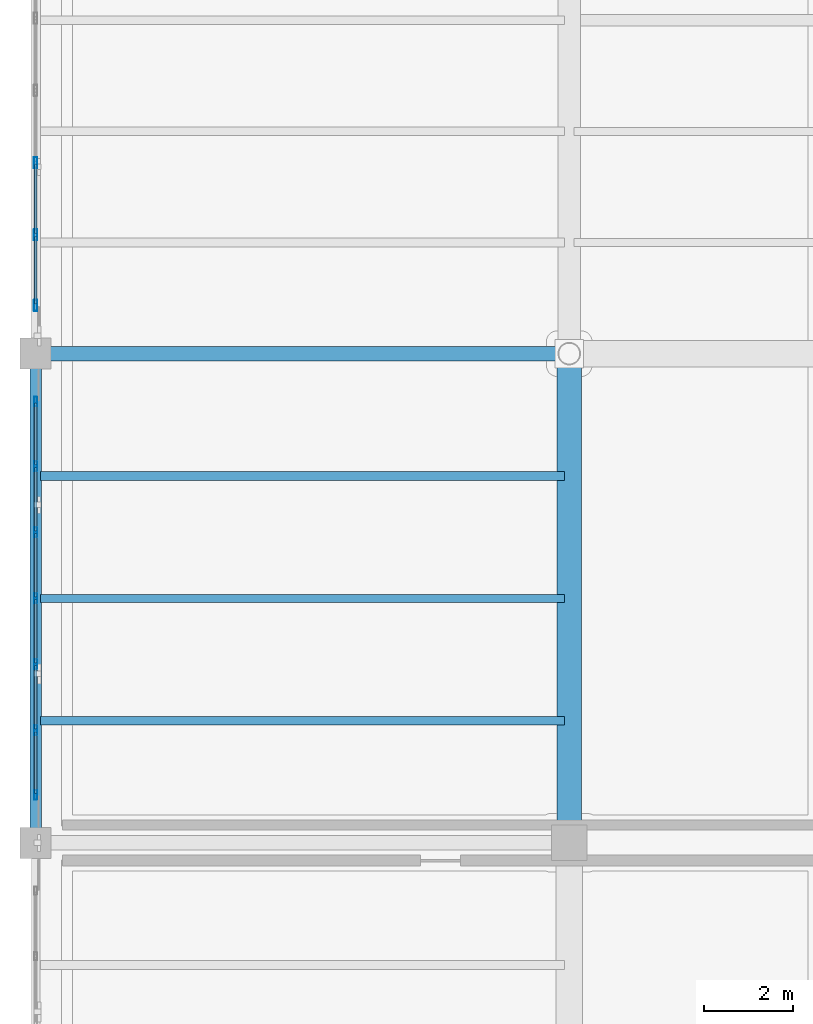
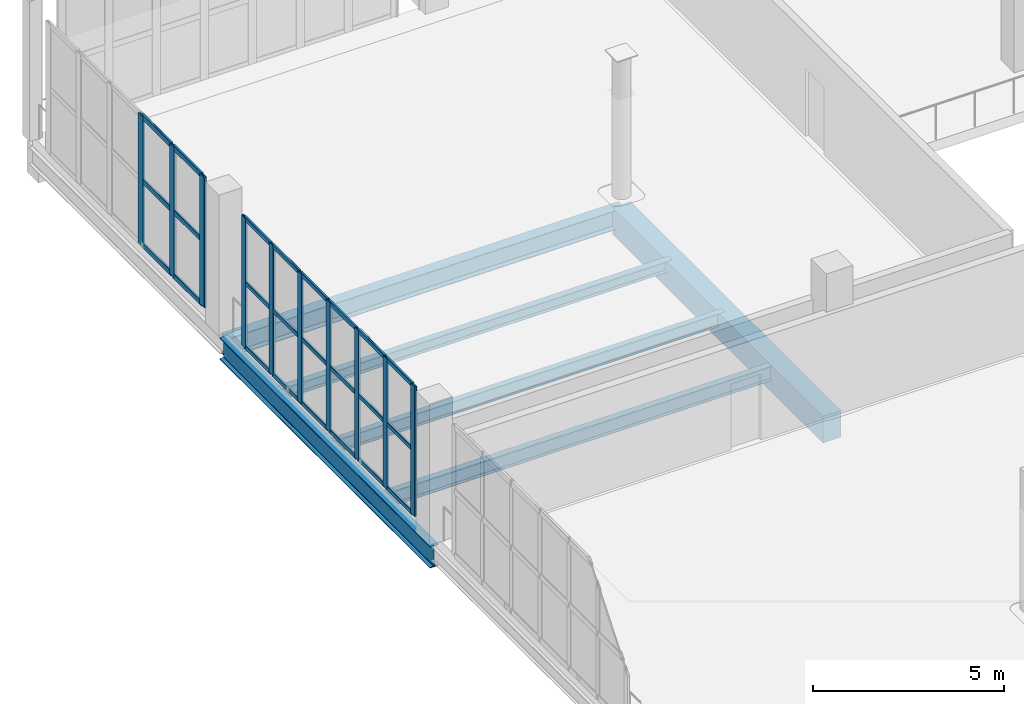
# One storey, part 16 of 108: 34 members, 6 beams, 2 elements without a shape of their own.
"""IFC4 building model written with IfcOpenShell, lengths in metres."""

import ifcopenshell
import ifcopenshell.guid

model = None  # the IFC model being written
_history = None  # IfcOwnerHistory: only IFC2X3 demands one
_inside = {}  # id of a spatial element -> (the spatial element, [elements in it])
_under = {}  # id of a project, library or spatial element -> (it, [spatial elements below it])
_declared = {}  # id of a project -> (the project, [libraries it declares])
_typed = {}  # id of a type object -> (the type object, [elements of that type])
_made_of = {}  # id of a material, layer set ... -> (it, [elements and type objects made of it])


def new_model(schema):
    """Start an empty IFC model of exactly this schema.

    Asked for "IFC4X3", IfcOpenShell would pick the latest addendum, in which some entities
    have other attributes; the version numbers below select the first issue.
    IFC2X3 requires an IfcOwnerHistory on every rooted entity: one is made here for all.
    """
    global model, _history
    if schema == "IFC4X3":
        model = ifcopenshell.file(schema_version=(4, 3, 0, 0))
    else:
        model = ifcopenshell.file(schema=schema)
    _inside.clear()
    _under.clear()
    _declared.clear()
    _typed.clear()
    _made_of.clear()
    _history = None
    if model.schema == "IFC2X3":
        org = make("IfcOrganization", Name="unknown")
        user = make(
            "IfcPersonAndOrganization",
            ThePerson=make("IfcPerson", FamilyName="unknown"),
            TheOrganization=org,
        )
        app = make(
            "IfcApplication",
            ApplicationDeveloper=org,
            Version="unknown",
            ApplicationFullName="unknown",
            ApplicationIdentifier="unknown",
        )
        _history = make(
            "IfcOwnerHistory",
            OwningUser=user,
            OwningApplication=app,
            ChangeAction="ADDED",
            CreationDate=0,
        )
    return model


def make(cls, **values):
    """One entity of the class cls with the attributes given. An attribute that is None is left unset."""
    return model.create_entity(
        cls, **{name: value for name, value in values.items() if value is not None}
    )


def rooted(cls, **values):
    """An entity with a GlobalId (a new one), such as an element, a storey or a relation."""
    return make(cls, GlobalId=ifcopenshell.guid.new(), OwnerHistory=_history, **values)


def si_unit(unit_type, name, prefix=None):
    """IfcSIUnit, for example si_unit("LENGTHUNIT", "METRE", prefix="MILLI")."""
    return make("IfcSIUnit", UnitType=unit_type, Prefix=prefix, Name=name)


def assignment(units):
    """IfcUnitAssignment: the units of a project."""
    return None if units is None else make("IfcUnitAssignment", Units=units)


def point(xyz):
    """IfcCartesianPoint."""
    return None if xyz is None else make("IfcCartesianPoint", Coordinates=xyz)


def direction(xyz):
    """IfcDirection."""
    return None if xyz is None else make("IfcDirection", DirectionRatios=xyz)


def frame(location, z_axis=None, x_axis=None):
    """IfcAxis2Placement3D, a coordinate frame: its origin and axes. An axis left out is left unset."""
    return make(
        "IfcAxis2Placement3D",
        Location=point(location),
        Axis=direction(z_axis),
        RefDirection=direction(x_axis),
    )


def frame_2d(location, x_axis=None):
    """IfcAxis2Placement2D, a coordinate frame in the plane: its origin and x axis."""
    return make(
        "IfcAxis2Placement2D", Location=point(location), RefDirection=direction(x_axis)
    )


def origin():
    """The frame at (0, 0, 0) with its axes left unset."""
    return frame((0.0, 0.0, 0.0))


def origin_2d():
    """The frame at (0, 0) in the plane with its x axis left unset."""
    return frame_2d((0.0, 0.0))


def place(relative_to, where):
    """IfcLocalPlacement: puts the frame where relative to a parent placement (None: the world)."""
    return make(
        "IfcLocalPlacement", PlacementRelTo=relative_to, RelativePlacement=where
    )


def context(
    kind, dimensions, precision=None, world=None, true_north=None, identifier=None
):
    """IfcGeometricRepresentationContext, for example the 3D "Model" context."""
    return make(
        "IfcGeometricRepresentationContext",
        ContextIdentifier=identifier,
        ContextType=kind,
        CoordinateSpaceDimension=dimensions,
        Precision=precision,
        WorldCoordinateSystem=world,
        TrueNorth=true_north,
    )


def subcontext(parent, identifier, kind, view, scale=None):
    """IfcGeometricRepresentationSubContext, for example "Body" below "Model"."""
    return make(
        "IfcGeometricRepresentationSubContext",
        ContextIdentifier=identifier,
        ContextType=kind,
        ParentContext=parent,
        TargetScale=scale,
        TargetView=view,
    )


def project(units=None, contexts=None):
    """IfcProject with its units and contexts."""
    return rooted(
        "IfcProject",
        Name="project",
        RepresentationContexts=contexts,
        UnitsInContext=assignment(units),
    )


def spatial(cls, under=None, at=None, **own):
    """A site, building, storey or space (cls), placed at a placement, below another one or the project."""
    s = rooted(cls, ObjectPlacement=at, **own)
    if under is not None:
        _under.setdefault(under.id(), (under, []))[1].append(s)
    return s


def profile(cls, at=None, kind="AREA", **sizes):
    """A parametric profile (cls). Its sizes go by their IFC names, for example OverallWidth=200.0."""
    return make(cls, ProfileType=kind, Position=at, **sizes)


def rectangle(**sizes):
    """IfcRectangleProfileDef."""
    return profile("IfcRectangleProfileDef", **sizes)


def hollow_rectangle(**sizes):
    """IfcRectangleHollowProfileDef."""
    return profile("IfcRectangleHollowProfileDef", **sizes)


def i_section(**sizes):
    """IfcIShapeProfileDef."""
    return profile("IfcIShapeProfileDef", **sizes)


def extrude(swept, where, along, depth):
    """IfcExtrudedAreaSolid: the profile swept, set in the frame where, extruded along a direction by depth."""
    return make(
        "IfcExtrudedAreaSolid",
        SweptArea=swept,
        Position=where,
        ExtrudedDirection=direction(along),
        Depth=depth,
    )


def shape(context_of_items, identifier, shape_type, items):
    """IfcShapeRepresentation: the items that make up one representation, for example the "Body"."""
    return make(
        "IfcShapeRepresentation",
        ContextOfItems=context_of_items,
        RepresentationIdentifier=identifier,
        RepresentationType=shape_type,
        Items=items,
    )


def material(Name=None, Category=None):
    """IfcMaterial."""
    return make("IfcMaterial", Name=Name, Category=Category)


def layer(
    of_material, thickness, ventilated=None, Name=None, Category=None, Priority=None
):
    """IfcMaterialLayer: one layer of a wall or slab, of a material (None: an air gap)."""
    return make(
        "IfcMaterialLayer",
        Material=of_material,
        LayerThickness=thickness,
        IsVentilated=ventilated,
        Name=Name,
        Category=Category,
        Priority=Priority,
    )


def layer_set(layers, Name=None):
    """IfcMaterialLayerSet."""
    return make("IfcMaterialLayerSet", MaterialLayers=layers, LayerSetName=Name)


def material_profile(
    of_material, cross_section, Name=None, Category=None, Priority=None
):
    """IfcMaterialProfile: a cross section and its material."""
    return make(
        "IfcMaterialProfile",
        Name=Name,
        Material=of_material,
        Profile=cross_section,
        Priority=Priority,
        Category=Category,
    )


def profile_set(profiles, Name=None, composite=None):
    """IfcMaterialProfileSet."""
    return make(
        "IfcMaterialProfileSet",
        Name=Name,
        MaterialProfiles=profiles,
        CompositeProfile=composite,
    )


def made_of(thing, what):
    """Note that an element or type object is made of a material, layer set ...; save() writes the relation."""
    if what is not None:
        _made_of.setdefault(what.id(), (what, []))[1].append(thing)
    return thing


def type_object(cls, material=None, **own):
    """A type object (cls), such as IfcWallType, which elements share."""
    return made_of(rooted(cls, **own), material)


def element(
    cls,
    number,
    at=None,
    inside=None,
    cuts=None,
    type_object=None,
    material=None,
    context=None,
    identifier="Body",
    shape_type=None,
    held_by="IfcProductDefinitionShape",
    body=None,
    shapes=None,
    **own,
):
    """One element of the class cls, such as IfcWall. Its Tag is "e" and its number.

    at: its placement. inside: the storey or other place that contains it. cuts: it is an
    opening in that element (IfcRelVoidsElement). A single representation is given by context,
    identifier, shape_type and body (its items); several are given by shapes. held_by: the class
    of the entity that holds the representations. save() writes the other relations.
    """
    e = rooted(cls, Tag="e%d" % number, ObjectPlacement=at, **own)
    if body is not None:
        shapes = [shape(context, identifier, shape_type, body)]
    if shapes is not None:
        e.Representation = make(held_by, Representations=shapes)
    if inside is not None:
        _inside.setdefault(inside.id(), (inside, []))[1].append(e)
    if cuts is not None:
        rooted(
            "IfcRelVoidsElement", RelatingBuildingElement=cuts, RelatedOpeningElement=e
        )
    if type_object is not None:
        _typed.setdefault(type_object.id(), (type_object, []))[1].append(e)
    return made_of(e, material)


def aggregate(whole, parts):
    """IfcRelAggregates: a whole, such as a stair, and the parts it consists of."""
    return rooted("IfcRelAggregates", RelatingObject=whole, RelatedObjects=parts)


def save(model, path):
    """Write the relations noted so far, then the file.

    IfcRelAggregates (storeys below a building ...), IfcRelContainedInSpatialStructure (elements
    in a storey), IfcRelDefinesByType, IfcRelAssociatesMaterial and IfcRelDeclares: one each for
    every whole, place, type object, material and project.
    """
    for whole, parts in _under.values():
        aggregate(whole, parts)
    for where, things in _inside.values():
        rooted(
            "IfcRelContainedInSpatialStructure",
            RelatedElements=things,
            RelatingStructure=where,
        )
    for kind, things in _typed.values():
        rooted("IfcRelDefinesByType", RelatedObjects=things, RelatingType=kind)
    for what, things in _made_of.values():
        rooted("IfcRelAssociatesMaterial", RelatedObjects=things, RelatingMaterial=what)
    for by, libraries in _declared.values():
        rooted("IfcRelDeclares", RelatingContext=by, RelatedDefinitions=libraries)
    model.write(path)


model = new_model("IFC4")

# Units and contexts
model_context = context("Model", 3, precision=1e-05, world=origin(), true_north=direction((0.0, 1.0)))
body_context = subcontext(model_context, "Body", "Model", "MODEL_VIEW")
ifc_project = project(units=[si_unit("LENGTHUNIT", "METRE"), si_unit("AREAUNIT", "SQUARE_METRE"), si_unit("VOLUMEUNIT", "CUBIC_METRE"), si_unit("PLANEANGLEUNIT", "RADIAN"), si_unit("MASSUNIT", "GRAM", prefix="KILO")], contexts=[model_context])

# Site, building, storey
site_placement = place(None, origin())
site = spatial("IfcSite", under=ifc_project, at=site_placement, CompositionType="ELEMENT")
building_placement = place(site_placement, origin())
building = spatial("IfcBuilding", under=site, at=building_placement, Name="Brinegate Civic Arena", CompositionType="ELEMENT")
storey_placement = place(building_placement, frame((0.0, 0.0, 10.199951171875)))
storey = spatial("IfcBuildingStorey", under=building, at=storey_placement, Name="L02", CompositionType="ELEMENT", Elevation=10.199951171875)

# Curtain wall, members
ifc_material_1 = material(Name="Marine grade aluminium", Category="aluminium")
ifc_layer = layer(ifc_material_1, 0.18505859375, Name="Marine grade aluminium")
ifc_layer_set = layer_set([ifc_layer], Name="Marine grade aluminium")
curtain_wall_type = type_object("IfcCurtainWallType", Name="CW-WING-GLAZED-03", PredefinedType="USERDEFINED", material=ifc_layer_set)
curtain_wall_1_placement = place(storey_placement, origin())
curtain_wall_1 = element("IfcCurtainWall", 1, at=curtain_wall_1_placement, inside=storey, type_object=curtain_wall_type, Name="Curtain Wall CWA-020", ObjectType="GLAZED CURTAIN WALL", PredefinedType="USERDEFINED")
ifc_material_profile_1 = material_profile(ifc_material_1, hollow_rectangle(XDim=0.06494140625, YDim=0.219970703125, WallThickness=0.006103515625, InnerFilletRadius=0.00390625, OuterFilletRadius=0.008056640625, at=origin_2d()), Name="MUL65X220")
ifc_profile_set_1 = profile_set([ifc_material_profile_1], Name="Marine grade aluminium")
member_type_1 = type_object("IfcMemberType", Name="CW-MULLION-65X220", PredefinedType="MULLION", material=ifc_profile_set_1)
member_1_placement = place(storey_placement, frame((0.0, 32.077392578125, 0.0), z_axis=(0.0, 0.0, 1.0), x_axis=(-1.0, 0.0, 0.0)))
member_1 = element("IfcMember", 2, at=member_1_placement, type_object=member_type_1, Name="CWA-020 mullion 1", PredefinedType="MULLION", context=body_context, shape_type="SweptSolid", body=[
    extrude(hollow_rectangle(XDim=0.06494140625, YDim=0.219970703125, WallThickness=0.006103515625, InnerFilletRadius=0.00390625, OuterFilletRadius=0.008056640625, at=origin_2d()), origin(), (0.0, 0.0, 1.0), 4.150146484375),
])
member_2_placement = place(storey_placement, frame((0.0, 33.530029296875, 0.0), z_axis=(0.0, 0.0, 1.0), x_axis=(-1.0, 0.0, 0.0)))
member_2 = element("IfcMember", 3, at=member_2_placement, type_object=member_type_1, Name="CWA-020 mullion 2", PredefinedType="MULLION", context=body_context, shape_type="SweptSolid", body=[
    extrude(hollow_rectangle(XDim=0.06494140625, YDim=0.219970703125, WallThickness=0.006103515625, InnerFilletRadius=0.00390625, OuterFilletRadius=0.008056640625, at=origin_2d()), origin(), (0.0, 0.0, 1.0), 4.150146484375),
])
member_3_placement = place(storey_placement, frame((0.0, 35.014892578125, 0.0), z_axis=(0.0, 0.0, 1.0), x_axis=(-1.0, 0.0, 0.0)))
member_3 = element("IfcMember", 4, at=member_3_placement, type_object=member_type_1, Name="CWA-020 mullion 3", PredefinedType="MULLION", context=body_context, shape_type="SweptSolid", body=[
    extrude(hollow_rectangle(XDim=0.06494140625, YDim=0.219970703125, WallThickness=0.006103515625, InnerFilletRadius=0.00390625, OuterFilletRadius=0.008056640625, at=origin_2d()), origin(), (0.0, 0.0, 1.0), 4.150146484375),
])
member_4_placement = place(storey_placement, frame((0.0, 36.5, 0.0), z_axis=(0.0, 0.0, 1.0), x_axis=(-1.0, 0.0, 0.0)))
member_4 = element("IfcMember", 5, at=member_4_placement, type_object=member_type_1, Name="CWA-020 mullion 4", PredefinedType="MULLION", context=body_context, shape_type="SweptSolid", body=[
    extrude(hollow_rectangle(XDim=0.06494140625, YDim=0.219970703125, WallThickness=0.006103515625, InnerFilletRadius=0.00390625, OuterFilletRadius=0.008056640625, at=origin_2d()), origin(), (0.0, 0.0, 1.0), 4.150146484375),
])
member_5_placement = place(storey_placement, frame((0.0, 37.985107421875, 0.0), z_axis=(0.0, 0.0, 1.0), x_axis=(-1.0, 0.0, 0.0)))
member_5 = element("IfcMember", 6, at=member_5_placement, type_object=member_type_1, Name="CWA-020 mullion 5", PredefinedType="MULLION", context=body_context, shape_type="SweptSolid", body=[
    extrude(hollow_rectangle(XDim=0.06494140625, YDim=0.219970703125, WallThickness=0.006103515625, InnerFilletRadius=0.00390625, OuterFilletRadius=0.008056640625, at=origin_2d()), origin(), (0.0, 0.0, 1.0), 4.150146484375),
])
member_6_placement = place(storey_placement, frame((0.0, 39.469970703125, 0.0), z_axis=(0.0, 0.0, 1.0), x_axis=(-1.0, 0.0, 0.0)))
member_6 = element("IfcMember", 7, at=member_6_placement, type_object=member_type_1, Name="CWA-020 mullion 6", PredefinedType="MULLION", context=body_context, shape_type="SweptSolid", body=[
    extrude(hollow_rectangle(XDim=0.06494140625, YDim=0.219970703125, WallThickness=0.006103515625, InnerFilletRadius=0.00390625, OuterFilletRadius=0.008056640625, at=origin_2d()), origin(), (0.0, 0.0, 1.0), 4.150146484375),
])
member_7_placement = place(storey_placement, frame((0.0, 40.922607421875, 0.0), z_axis=(0.0, 0.0, 1.0), x_axis=(-1.0, 0.0, 0.0)))
member_7 = element("IfcMember", 8, at=member_7_placement, type_object=member_type_1, Name="CWA-020 mullion 7", PredefinedType="MULLION", context=body_context, shape_type="SweptSolid", body=[
    extrude(hollow_rectangle(XDim=0.06494140625, YDim=0.219970703125, WallThickness=0.006103515625, InnerFilletRadius=0.00390625, OuterFilletRadius=0.008056640625, at=origin_2d()), origin(), (0.0, 0.0, 1.0), 4.150146484375),
])

curtain_wall_2_placement = place(storey_placement, origin())
curtain_wall_2 = element("IfcCurtainWall", 9, at=curtain_wall_2_placement, inside=storey, type_object=curtain_wall_type, Name="Curtain Wall CWA-021", ObjectType="GLAZED CURTAIN WALL", PredefinedType="USERDEFINED")
ifc_material_profile_2 = material_profile(ifc_material_1, hollow_rectangle(XDim=0.074951171875, YDim=0.25, WallThickness=0.006103515625, InnerFilletRadius=0.00390625, OuterFilletRadius=0.008056640625, at=origin_2d()), Name="MUL75X250")
ifc_profile_set_2 = profile_set([ifc_material_profile_2], Name="Marine grade aluminium")
member_type_2 = type_object("IfcMemberType", Name="CW-MULLION-75X250", PredefinedType="MULLION", material=ifc_profile_set_2)
member_8_placement = place(storey_placement, frame((0.0, 43.08251953125, 0.0), z_axis=(0.0, 0.0, 1.0), x_axis=(-1.0, 0.0, 0.0)))
member_8 = element("IfcMember", 10, at=member_8_placement, type_object=member_type_2, Name="CWA-021 mullion 1", PredefinedType="MULLION", context=body_context, shape_type="SweptSolid", body=[
    extrude(hollow_rectangle(XDim=0.074951171875, YDim=0.25, WallThickness=0.006103515625, InnerFilletRadius=0.00390625, OuterFilletRadius=0.008056640625, at=origin_2d()), origin(), (0.0, 0.0, 1.0), 4.150146484375),
])
member_9_placement = place(storey_placement, frame((0.0, 44.66943359375, 0.0), z_axis=(0.0, 0.0, 1.0), x_axis=(-1.0, 0.0, 0.0)))
member_9 = element("IfcMember", 11, at=member_9_placement, type_object=member_type_2, Name="CWA-021 mullion 2", PredefinedType="MULLION", context=body_context, shape_type="SweptSolid", body=[
    extrude(hollow_rectangle(XDim=0.074951171875, YDim=0.25, WallThickness=0.006103515625, InnerFilletRadius=0.00390625, OuterFilletRadius=0.008056640625, at=origin_2d()), origin(), (0.0, 0.0, 1.0), 4.150146484375),
])
member_10_placement = place(storey_placement, frame((0.0, 46.293701171875, 0.0), z_axis=(0.0, 0.0, 1.0), x_axis=(-1.0, 0.0, 0.0)))
member_10 = element("IfcMember", 12, at=member_10_placement, type_object=member_type_2, Name="CWA-021 mullion 3", PredefinedType="MULLION", context=body_context, shape_type="SweptSolid", body=[
    extrude(hollow_rectangle(XDim=0.074951171875, YDim=0.25, WallThickness=0.006103515625, InnerFilletRadius=0.00390625, OuterFilletRadius=0.008056640625, at=origin_2d()), origin(), (0.0, 0.0, 1.0), 4.150146484375),
])

# Member
ifc_material_profile_3 = material_profile(ifc_material_1, hollow_rectangle(XDim=0.06494140625, YDim=0.139892578125, WallThickness=0.0048828125, InnerFilletRadius=0.00390625, OuterFilletRadius=0.008056640625, at=origin_2d()), Name="TRN65X140")
ifc_profile_set_3 = profile_set([ifc_material_profile_3], Name="Marine grade aluminium")
member_type_3 = type_object("IfcMemberType", Name="CW-TRANSOM-65X140", PredefinedType="USERDEFINED", material=ifc_profile_set_3)
member_11_placement = place(storey_placement, frame((0.0, 32.110107421875, 0.032470703125), z_axis=(0.0, 1.0, 0.0), x_axis=(-1.0, 0.0, 0.0)))
member_11 = element("IfcMember", 13, at=member_11_placement, type_object=member_type_3, Name="CWA-020 transom 1.1", ObjectType="TRANSOM", PredefinedType="USERDEFINED", context=body_context, shape_type="SweptSolid", body=[
    extrude(hollow_rectangle(XDim=0.06494140625, YDim=0.139892578125, WallThickness=0.0048828125, InnerFilletRadius=0.00390625, OuterFilletRadius=0.008056640625, at=origin_2d()), origin(), (0.0, 0.0, 1.0), 1.387451171875),
])

member_12_placement = place(storey_placement, frame((0.0, 32.110107421875, 2.074951171875), z_axis=(0.0, 1.0, 0.0), x_axis=(-1.0, 0.0, 0.0)))
member_12 = element("IfcMember", 14, at=member_12_placement, type_object=member_type_3, Name="CWA-020 transom 1.2", ObjectType="TRANSOM", PredefinedType="USERDEFINED", context=body_context, shape_type="SweptSolid", body=[
    extrude(hollow_rectangle(XDim=0.06494140625, YDim=0.139892578125, WallThickness=0.0048828125, InnerFilletRadius=0.00390625, OuterFilletRadius=0.008056640625, at=origin_2d()), origin(), (0.0, 0.0, 1.0), 1.387451171875),
])

member_13_placement = place(storey_placement, frame((0.0, 32.110107421875, 4.117431640625), z_axis=(0.0, 1.0, 0.0), x_axis=(-1.0, 0.0, 0.0)))
member_13 = element("IfcMember", 15, at=member_13_placement, type_object=member_type_3, Name="CWA-020 transom 1.3", ObjectType="TRANSOM", PredefinedType="USERDEFINED", context=body_context, shape_type="SweptSolid", body=[
    extrude(hollow_rectangle(XDim=0.06494140625, YDim=0.139892578125, WallThickness=0.0048828125, InnerFilletRadius=0.00390625, OuterFilletRadius=0.008056640625, at=origin_2d()), origin(), (0.0, 0.0, 1.0), 1.387451171875),
])

member_14_placement = place(storey_placement, frame((0.0, 33.5625, 0.032470703125), z_axis=(0.0, 1.0, 0.0), x_axis=(-1.0, 0.0, 0.0)))
member_14 = element("IfcMember", 16, at=member_14_placement, type_object=member_type_3, Name="CWA-020 transom 2.1", ObjectType="TRANSOM", PredefinedType="USERDEFINED", context=body_context, shape_type="SweptSolid", body=[
    extrude(hollow_rectangle(XDim=0.06494140625, YDim=0.139892578125, WallThickness=0.0048828125, InnerFilletRadius=0.00390625, OuterFilletRadius=0.008056640625, at=origin_2d()), origin(), (0.0, 0.0, 1.0), 1.419921875),
])

member_15_placement = place(storey_placement, frame((0.0, 33.5625, 2.074951171875), z_axis=(0.0, 1.0, 0.0), x_axis=(-1.0, 0.0, 0.0)))
member_15 = element("IfcMember", 17, at=member_15_placement, type_object=member_type_3, Name="CWA-020 transom 2.2", ObjectType="TRANSOM", PredefinedType="USERDEFINED", context=body_context, shape_type="SweptSolid", body=[
    extrude(hollow_rectangle(XDim=0.06494140625, YDim=0.139892578125, WallThickness=0.0048828125, InnerFilletRadius=0.00390625, OuterFilletRadius=0.008056640625, at=origin_2d()), origin(), (0.0, 0.0, 1.0), 1.419921875),
])

member_16_placement = place(storey_placement, frame((0.0, 33.5625, 4.117431640625), z_axis=(0.0, 1.0, 0.0), x_axis=(-1.0, 0.0, 0.0)))
member_16 = element("IfcMember", 18, at=member_16_placement, type_object=member_type_3, Name="CWA-020 transom 2.3", ObjectType="TRANSOM", PredefinedType="USERDEFINED", context=body_context, shape_type="SweptSolid", body=[
    extrude(hollow_rectangle(XDim=0.06494140625, YDim=0.139892578125, WallThickness=0.0048828125, InnerFilletRadius=0.00390625, OuterFilletRadius=0.008056640625, at=origin_2d()), origin(), (0.0, 0.0, 1.0), 1.419921875),
])

member_17_placement = place(storey_placement, frame((0.0, 35.047607421875, 0.032470703125), z_axis=(0.0, 1.0, 0.0), x_axis=(-1.0, 0.0, 0.0)))
member_17 = element("IfcMember", 19, at=member_17_placement, type_object=member_type_3, Name="CWA-020 transom 3.1", ObjectType="TRANSOM", PredefinedType="USERDEFINED", context=body_context, shape_type="SweptSolid", body=[
    extrude(hollow_rectangle(XDim=0.06494140625, YDim=0.139892578125, WallThickness=0.0048828125, InnerFilletRadius=0.00390625, OuterFilletRadius=0.008056640625, at=origin_2d()), origin(), (0.0, 0.0, 1.0), 1.419921875),
])

member_18_placement = place(storey_placement, frame((0.0, 35.047607421875, 2.074951171875), z_axis=(0.0, 1.0, 0.0), x_axis=(-1.0, 0.0, 0.0)))
member_18 = element("IfcMember", 20, at=member_18_placement, type_object=member_type_3, Name="CWA-020 transom 3.2", ObjectType="TRANSOM", PredefinedType="USERDEFINED", context=body_context, shape_type="SweptSolid", body=[
    extrude(hollow_rectangle(XDim=0.06494140625, YDim=0.139892578125, WallThickness=0.0048828125, InnerFilletRadius=0.00390625, OuterFilletRadius=0.008056640625, at=origin_2d()), origin(), (0.0, 0.0, 1.0), 1.419921875),
])

member_19_placement = place(storey_placement, frame((0.0, 35.047607421875, 4.117431640625), z_axis=(0.0, 1.0, 0.0), x_axis=(-1.0, 0.0, 0.0)))
member_19 = element("IfcMember", 21, at=member_19_placement, type_object=member_type_3, Name="CWA-020 transom 3.3", ObjectType="TRANSOM", PredefinedType="USERDEFINED", context=body_context, shape_type="SweptSolid", body=[
    extrude(hollow_rectangle(XDim=0.06494140625, YDim=0.139892578125, WallThickness=0.0048828125, InnerFilletRadius=0.00390625, OuterFilletRadius=0.008056640625, at=origin_2d()), origin(), (0.0, 0.0, 1.0), 1.419921875),
])

member_20_placement = place(storey_placement, frame((0.0, 36.532470703125, 0.032470703125), z_axis=(0.0, 1.0, 0.0), x_axis=(-1.0, 0.0, 0.0)))
member_20 = element("IfcMember", 22, at=member_20_placement, type_object=member_type_3, Name="CWA-020 transom 4.1", ObjectType="TRANSOM", PredefinedType="USERDEFINED", context=body_context, shape_type="SweptSolid", body=[
    extrude(hollow_rectangle(XDim=0.06494140625, YDim=0.139892578125, WallThickness=0.0048828125, InnerFilletRadius=0.00390625, OuterFilletRadius=0.008056640625, at=origin_2d()), origin(), (0.0, 0.0, 1.0), 1.419921875),
])

member_21_placement = place(storey_placement, frame((0.0, 36.532470703125, 2.074951171875), z_axis=(0.0, 1.0, 0.0), x_axis=(-1.0, 0.0, 0.0)))
member_21 = element("IfcMember", 23, at=member_21_placement, type_object=member_type_3, Name="CWA-020 transom 4.2", ObjectType="TRANSOM", PredefinedType="USERDEFINED", context=body_context, shape_type="SweptSolid", body=[
    extrude(hollow_rectangle(XDim=0.06494140625, YDim=0.139892578125, WallThickness=0.0048828125, InnerFilletRadius=0.00390625, OuterFilletRadius=0.008056640625, at=origin_2d()), origin(), (0.0, 0.0, 1.0), 1.419921875),
])

member_22_placement = place(storey_placement, frame((0.0, 36.532470703125, 4.117431640625), z_axis=(0.0, 1.0, 0.0), x_axis=(-1.0, 0.0, 0.0)))
member_22 = element("IfcMember", 24, at=member_22_placement, type_object=member_type_3, Name="CWA-020 transom 4.3", ObjectType="TRANSOM", PredefinedType="USERDEFINED", context=body_context, shape_type="SweptSolid", body=[
    extrude(hollow_rectangle(XDim=0.06494140625, YDim=0.139892578125, WallThickness=0.0048828125, InnerFilletRadius=0.00390625, OuterFilletRadius=0.008056640625, at=origin_2d()), origin(), (0.0, 0.0, 1.0), 1.419921875),
])

member_23_placement = place(storey_placement, frame((0.0, 38.017578125, 0.032470703125), z_axis=(0.0, 1.0, 0.0), x_axis=(-1.0, 0.0, 0.0)))
member_23 = element("IfcMember", 25, at=member_23_placement, type_object=member_type_3, Name="CWA-020 transom 5.1", ObjectType="TRANSOM", PredefinedType="USERDEFINED", context=body_context, shape_type="SweptSolid", body=[
    extrude(hollow_rectangle(XDim=0.06494140625, YDim=0.139892578125, WallThickness=0.0048828125, InnerFilletRadius=0.00390625, OuterFilletRadius=0.008056640625, at=origin_2d()), origin(), (0.0, 0.0, 1.0), 1.419921875),
])

member_24_placement = place(storey_placement, frame((0.0, 38.017578125, 2.074951171875), z_axis=(0.0, 1.0, 0.0), x_axis=(-1.0, 0.0, 0.0)))
member_24 = element("IfcMember", 26, at=member_24_placement, type_object=member_type_3, Name="CWA-020 transom 5.2", ObjectType="TRANSOM", PredefinedType="USERDEFINED", context=body_context, shape_type="SweptSolid", body=[
    extrude(hollow_rectangle(XDim=0.06494140625, YDim=0.139892578125, WallThickness=0.0048828125, InnerFilletRadius=0.00390625, OuterFilletRadius=0.008056640625, at=origin_2d()), origin(), (0.0, 0.0, 1.0), 1.419921875),
])

member_25_placement = place(storey_placement, frame((0.0, 38.017578125, 4.117431640625), z_axis=(0.0, 1.0, 0.0), x_axis=(-1.0, 0.0, 0.0)))
member_25 = element("IfcMember", 27, at=member_25_placement, type_object=member_type_3, Name="CWA-020 transom 5.3", ObjectType="TRANSOM", PredefinedType="USERDEFINED", context=body_context, shape_type="SweptSolid", body=[
    extrude(hollow_rectangle(XDim=0.06494140625, YDim=0.139892578125, WallThickness=0.0048828125, InnerFilletRadius=0.00390625, OuterFilletRadius=0.008056640625, at=origin_2d()), origin(), (0.0, 0.0, 1.0), 1.419921875),
])

member_26_placement = place(storey_placement, frame((0.0, 39.50244140625, 0.032470703125), z_axis=(0.0, 1.0, 0.0), x_axis=(-1.0, 0.0, 0.0)))
member_26 = element("IfcMember", 28, at=member_26_placement, type_object=member_type_3, Name="CWA-020 transom 6.1", ObjectType="TRANSOM", PredefinedType="USERDEFINED", context=body_context, shape_type="SweptSolid", body=[
    extrude(hollow_rectangle(XDim=0.06494140625, YDim=0.139892578125, WallThickness=0.0048828125, InnerFilletRadius=0.00390625, OuterFilletRadius=0.008056640625, at=origin_2d()), origin(), (0.0, 0.0, 1.0), 1.387451171875),
])

member_27_placement = place(storey_placement, frame((0.0, 39.50244140625, 2.074951171875), z_axis=(0.0, 1.0, 0.0), x_axis=(-1.0, 0.0, 0.0)))
member_27 = element("IfcMember", 29, at=member_27_placement, type_object=member_type_3, Name="CWA-020 transom 6.2", ObjectType="TRANSOM", PredefinedType="USERDEFINED", context=body_context, shape_type="SweptSolid", body=[
    extrude(hollow_rectangle(XDim=0.06494140625, YDim=0.139892578125, WallThickness=0.0048828125, InnerFilletRadius=0.00390625, OuterFilletRadius=0.008056640625, at=origin_2d()), origin(), (0.0, 0.0, 1.0), 1.387451171875),
])

member_28_placement = place(storey_placement, frame((0.0, 39.50244140625, 4.117431640625), z_axis=(0.0, 1.0, 0.0), x_axis=(-1.0, 0.0, 0.0)))
member_28 = element("IfcMember", 30, at=member_28_placement, type_object=member_type_3, Name="CWA-020 transom 6.3", ObjectType="TRANSOM", PredefinedType="USERDEFINED", context=body_context, shape_type="SweptSolid", body=[
    extrude(hollow_rectangle(XDim=0.06494140625, YDim=0.139892578125, WallThickness=0.0048828125, InnerFilletRadius=0.00390625, OuterFilletRadius=0.008056640625, at=origin_2d()), origin(), (0.0, 0.0, 1.0), 1.387451171875),
])

aggregate(curtain_wall_1, [member_1, member_2, member_3, member_4, member_5, member_6, member_7, member_11, member_12, member_13, member_14, member_15, member_16, member_17, member_18, member_19, member_20, member_21, member_22, member_23, member_24, member_25, member_26, member_27, member_28])

ifc_material_profile_4 = material_profile(ifc_material_1, hollow_rectangle(XDim=0.06494140625, YDim=0.1650390625, WallThickness=0.0048828125, InnerFilletRadius=0.00390625, OuterFilletRadius=0.008056640625, at=origin_2d()), Name="TRN65X165")
ifc_profile_set_4 = profile_set([ifc_material_profile_4], Name="Marine grade aluminium")
member_type_4 = type_object("IfcMemberType", Name="CW-TRANSOM-65X165", PredefinedType="USERDEFINED", material=ifc_profile_set_4)
member_29_placement = place(storey_placement, frame((0.0, 43.1201171875, 0.032470703125), z_axis=(0.0, 1.0, 0.0), x_axis=(-1.0, 0.0, 0.0)))
member_29 = element("IfcMember", 31, at=member_29_placement, type_object=member_type_4, Name="CWA-021 transom 1.1", ObjectType="TRANSOM", PredefinedType="USERDEFINED", context=body_context, shape_type="SweptSolid", body=[
    extrude(hollow_rectangle(XDim=0.06494140625, YDim=0.1650390625, WallThickness=0.0048828125, InnerFilletRadius=0.00390625, OuterFilletRadius=0.008056640625, at=origin_2d()), origin(), (0.0, 0.0, 1.0), 1.51171875),
])

member_30_placement = place(storey_placement, frame((0.0, 43.1201171875, 2.074951171875), z_axis=(0.0, 1.0, 0.0), x_axis=(-1.0, 0.0, 0.0)))
member_30 = element("IfcMember", 32, at=member_30_placement, type_object=member_type_4, Name="CWA-021 transom 1.2", ObjectType="TRANSOM", PredefinedType="USERDEFINED", context=body_context, shape_type="SweptSolid", body=[
    extrude(hollow_rectangle(XDim=0.06494140625, YDim=0.1650390625, WallThickness=0.0048828125, InnerFilletRadius=0.00390625, OuterFilletRadius=0.008056640625, at=origin_2d()), origin(), (0.0, 0.0, 1.0), 1.51171875),
])

member_31_placement = place(storey_placement, frame((0.0, 43.1201171875, 4.117431640625), z_axis=(0.0, 1.0, 0.0), x_axis=(-1.0, 0.0, 0.0)))
member_31 = element("IfcMember", 33, at=member_31_placement, type_object=member_type_4, Name="CWA-021 transom 1.3", ObjectType="TRANSOM", PredefinedType="USERDEFINED", context=body_context, shape_type="SweptSolid", body=[
    extrude(hollow_rectangle(XDim=0.06494140625, YDim=0.1650390625, WallThickness=0.0048828125, InnerFilletRadius=0.00390625, OuterFilletRadius=0.008056640625, at=origin_2d()), origin(), (0.0, 0.0, 1.0), 1.51171875),
])

member_32_placement = place(storey_placement, frame((0.0, 44.706787109375, 0.032470703125), z_axis=(0.0, 1.0, 0.0), x_axis=(-1.0, 0.0, 0.0)))
member_32 = element("IfcMember", 34, at=member_32_placement, type_object=member_type_4, Name="CWA-021 transom 2.1", ObjectType="TRANSOM", PredefinedType="USERDEFINED", context=body_context, shape_type="SweptSolid", body=[
    extrude(hollow_rectangle(XDim=0.06494140625, YDim=0.1650390625, WallThickness=0.0048828125, InnerFilletRadius=0.00390625, OuterFilletRadius=0.008056640625, at=origin_2d()), origin(), (0.0, 0.0, 1.0), 1.549560546875),
])

member_33_placement = place(storey_placement, frame((0.0, 44.706787109375, 2.074951171875), z_axis=(0.0, 1.0, 0.0), x_axis=(-1.0, 0.0, 0.0)))
member_33 = element("IfcMember", 35, at=member_33_placement, type_object=member_type_4, Name="CWA-021 transom 2.2", ObjectType="TRANSOM", PredefinedType="USERDEFINED", context=body_context, shape_type="SweptSolid", body=[
    extrude(hollow_rectangle(XDim=0.06494140625, YDim=0.1650390625, WallThickness=0.0048828125, InnerFilletRadius=0.00390625, OuterFilletRadius=0.008056640625, at=origin_2d()), origin(), (0.0, 0.0, 1.0), 1.549560546875),
])

member_34_placement = place(storey_placement, frame((0.0, 44.706787109375, 4.117431640625), z_axis=(0.0, 1.0, 0.0), x_axis=(-1.0, 0.0, 0.0)))
member_34 = element("IfcMember", 36, at=member_34_placement, type_object=member_type_4, Name="CWA-021 transom 2.3", ObjectType="TRANSOM", PredefinedType="USERDEFINED", context=body_context, shape_type="SweptSolid", body=[
    extrude(hollow_rectangle(XDim=0.06494140625, YDim=0.1650390625, WallThickness=0.0048828125, InnerFilletRadius=0.00390625, OuterFilletRadius=0.008056640625, at=origin_2d()), origin(), (0.0, 0.0, 1.0), 1.549560546875),
])

aggregate(curtain_wall_2, [member_8, member_9, member_10, member_29, member_30, member_31, member_32, member_33, member_34])

# Beams
ifc_material_2 = material(Name="Steel S355", Category="steel")
ifc_material_profile_5 = material_profile(ifc_material_2, i_section(OverallWidth=0.324951171875, OverallDepth=0.615966796875, WebThickness=0.013916015625, FlangeThickness=0.02197265625, FilletRadius=0.01611328125, at=origin_2d()), Name="W610X174")
ifc_profile_set_5 = profile_set([ifc_material_profile_5], Name="Steel S355")
beam_type_1 = type_object("IfcBeamType", Name="GIRDER-W610X174", PredefinedType="BEAM", material=ifc_profile_set_5)
beam_1_placement = place(storey_placement, frame((0.0, 42.0, -0.637939453125), z_axis=(1.0, 0.0, 0.0), x_axis=(0.0, 1.0, 0.0)))
element("IfcBeam", 37, at=beam_1_placement, inside=storey, type_object=beam_type_1, Name="Floor Girder BM-L02-GX-00-04", PredefinedType="BEAM", context=body_context, shape_type="SweptSolid", body=[
    extrude(i_section(OverallWidth=0.324951171875, OverallDepth=0.615966796875, WebThickness=0.013916015625, FlangeThickness=0.02197265625, FilletRadius=0.01611328125, at=origin_2d()), origin(), (0.0, 0.0, 1.0), 12.0),
])
ifc_material_profile_6 = material_profile(ifc_material_2, i_section(OverallWidth=0.202880859375, OverallDepth=0.346923828125, WebThickness=0.008056640625, FlangeThickness=0.013916015625, FilletRadius=0.013916015625, at=origin_2d()), Name="W360X64")
ifc_profile_set_6 = profile_set([ifc_material_profile_6], Name="Steel S355")
beam_type_2 = type_object("IfcBeamType", Name="JOIST-W360X64", PredefinedType="JOIST", material=ifc_profile_set_6)
beam_2_placement = place(storey_placement, frame((0.10595703125, 39.25, -0.5029296875), z_axis=(1.0, 0.0, 0.0), x_axis=(0.0, 1.0, 0.0)))
element("IfcBeam", 38, at=beam_2_placement, inside=storey, type_object=beam_type_2, Name="Secondary Joist BM-L02-JX-00-03-3", PredefinedType="JOIST", context=body_context, shape_type="SweptSolid", body=[
    extrude(i_section(OverallWidth=0.202880859375, OverallDepth=0.346923828125, WebThickness=0.008056640625, FlangeThickness=0.013916015625, FilletRadius=0.013916015625, at=origin_2d()), origin(), (0.0, 0.0, 1.0), 11.7880859375),
])
ifc_material_profile_7 = material_profile(ifc_material_2, i_section(OverallWidth=0.179931640625, OverallDepth=0.4130859375, WebThickness=0.010009765625, FlangeThickness=0.01611328125, FilletRadius=0.013916015625, at=origin_2d()), Name="W410X75")
ifc_profile_set_7 = profile_set([ifc_material_profile_7], Name="Steel S355")
beam_type_3 = type_object("IfcBeamType", Name="JOIST-W410X75", PredefinedType="JOIST", material=ifc_profile_set_7)
beam_3_placement = place(storey_placement, frame((0.10595703125, 36.5, -0.535888671875), z_axis=(1.0, 0.0, 0.0), x_axis=(0.0, 1.0, 0.0)))
element("IfcBeam", 39, at=beam_3_placement, inside=storey, type_object=beam_type_3, Name="Secondary Joist BM-L02-JX-00-03-2", PredefinedType="JOIST", context=body_context, shape_type="SweptSolid", body=[
    extrude(i_section(OverallWidth=0.179931640625, OverallDepth=0.4130859375, WebThickness=0.010009765625, FlangeThickness=0.01611328125, FilletRadius=0.013916015625, at=origin_2d()), origin(), (0.0, 0.0, 1.0), 11.7880859375),
])
ifc_material_profile_8 = material_profile(ifc_material_2, i_section(OverallWidth=0.193115234375, OverallDepth=0.466064453125, WebThickness=0.010986328125, FlangeThickness=0.01904296875, FilletRadius=0.014892578125, at=origin_2d()), Name="W460X97")
ifc_profile_set_8 = profile_set([ifc_material_profile_8], Name="Steel S355")
beam_type_4 = type_object("IfcBeamType", Name="JOIST-W460X97", PredefinedType="JOIST", material=ifc_profile_set_8)
beam_4_placement = place(storey_placement, frame((0.10595703125, 33.75, -0.56298828125), z_axis=(1.0, 0.0, 0.0), x_axis=(0.0, 1.0, 0.0)))
element("IfcBeam", 40, at=beam_4_placement, inside=storey, type_object=beam_type_4, Name="Secondary Joist BM-L02-JX-00-03-1", PredefinedType="JOIST", context=body_context, shape_type="SweptSolid", body=[
    extrude(i_section(OverallWidth=0.193115234375, OverallDepth=0.466064453125, WebThickness=0.010986328125, FlangeThickness=0.01904296875, FilletRadius=0.014892578125, at=origin_2d()), origin(), (0.0, 0.0, 1.0), 11.7880859375),
])
ifc_material_3 = material(Name="Concrete C50/60", Category="concrete")
ifc_material_profile_9 = material_profile(ifc_material_3, rectangle(XDim=0.550048828125, YDim=0.85009765625, at=origin_2d()), Name="RCB550X850")
ifc_profile_set_9 = profile_set([ifc_material_profile_9], Name="Concrete C50/60")
beam_type_5 = type_object("IfcBeamType", Name="RCG-550X850", PredefinedType="BEAM", material=ifc_profile_set_9)
beam_5_placement = place(storey_placement, frame((12.0, 31.0, -0.7548828125), z_axis=(0.0, 1.0, 0.0), x_axis=(-1.0, 0.0, 0.0)))
element("IfcBeam", 41, at=beam_5_placement, inside=storey, type_object=beam_type_5, Name="Floor Girder BM-L02-GY-01-03", PredefinedType="BEAM", context=body_context, shape_type="SweptSolid", body=[
    extrude(rectangle(XDim=0.550048828125, YDim=0.85009765625, at=origin_2d()), origin(), (0.0, 0.0, 1.0), 11.0),
])
ifc_material_profile_10 = material_profile(ifc_material_2, i_section(OverallWidth=0.256103515625, OverallDepth=0.693115234375, WebThickness=0.014892578125, FlangeThickness=0.02392578125, FilletRadius=0.01806640625, at=origin_2d()), Name="W690X170")
ifc_profile_set_10 = profile_set([ifc_material_profile_10], Name="Steel S355")
beam_type_6 = type_object("IfcBeamType", Name="SPANDREL-W690X170", PredefinedType="SPANDREL", material=ifc_profile_set_10)
beam_6_placement = place(storey_placement, frame((0.0, 31.0, -0.676025390625), z_axis=(0.0, 1.0, 0.0), x_axis=(-1.0, 0.0, 0.0)))
element("IfcBeam", 42, at=beam_6_placement, inside=storey, type_object=beam_type_6, Name="Floor Girder BM-L02-GY-00-03", PredefinedType="SPANDREL", context=body_context, shape_type="SweptSolid", body=[
    extrude(i_section(OverallWidth=0.256103515625, OverallDepth=0.693115234375, WebThickness=0.014892578125, FlangeThickness=0.02392578125, FilletRadius=0.01806640625, at=origin_2d()), origin(), (0.0, 0.0, 1.0), 11.0),
])

save(model, "model.ifc")
